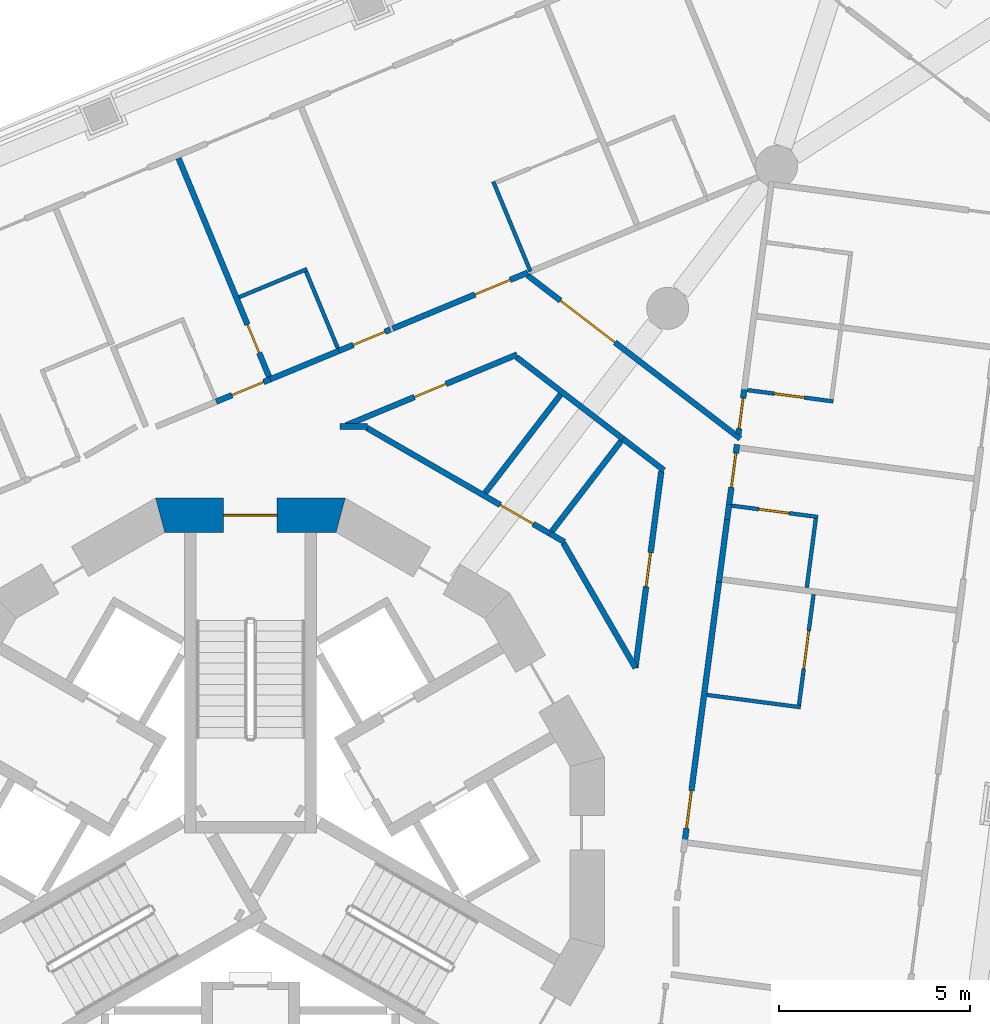
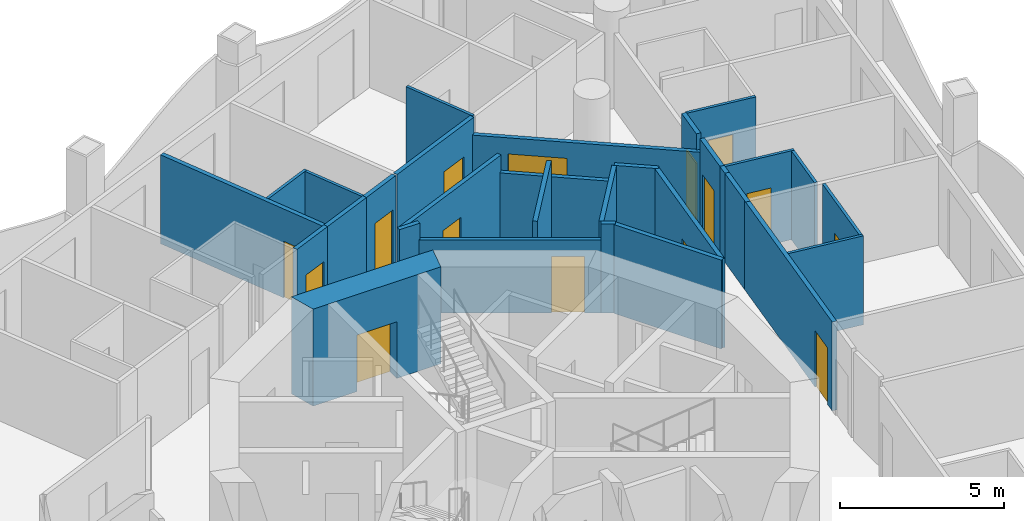
# One storey, part 9 of 17: 30 walls, 15 doors, 15 openings.
"""IFC4 building model written with IfcOpenShell, lengths in metres."""

from ifc_helpers import new_model, si_unit, direction, frame, frame_2d, origin, place, context, subcontext, project, spatial, polyline, rectangle, outline, extrude, material, layer, layer_set, type_object, element, fill, save


model = new_model("IFC4")

# Units and contexts
model_context = context("Model", 3, precision=1e-05, world=origin(), true_north=direction((0.0, 1.0)))
body_context = subcontext(model_context, "Body", "Model", "MODEL_VIEW")
ifc_project = project(units=[si_unit("LENGTHUNIT", "METRE"), si_unit("AREAUNIT", "SQUARE_METRE"), si_unit("VOLUMEUNIT", "CUBIC_METRE"), si_unit("PLANEANGLEUNIT", "RADIAN"), si_unit("MASSUNIT", "GRAM", prefix="KILO")], contexts=[model_context])

# Site, building, storey
site_placement = place(None, origin())
site = spatial("IfcSite", under=ifc_project, at=site_placement, CompositionType="ELEMENT")
building_placement = place(site_placement, origin())
building = spatial("IfcBuilding", under=site, at=building_placement, Name="Trine Commons Tower", CompositionType="ELEMENT")
storey_placement = place(building_placement, frame((0.0, 0.0, 135.0)))
storey = spatial("IfcBuildingStorey", under=building, at=storey_placement, Name="L34", CompositionType="ELEMENT", Elevation=135.0)

# Wall, opening, door
ifc_material_1 = material(Name="Concrete C70/85", Category="concrete")
ifc_layer_1 = layer(ifc_material_1, 0.89990234375)
ifc_layer_set_1 = layer_set([ifc_layer_1], Name="Concrete C70/85")
wall_type_1 = type_object("IfcWallType", Name="RC shear wall 900 mm, C70/85", PredefinedType="SHEAR", material=ifc_layer_set_1)
wall_1_placement = place(storey_placement, frame((82.484619140625, 71.322998046875, 0.0), z_axis=(0.0, 0.0, 1.0), x_axis=(-1.0, 0.0, 0.0)))
wall_1 = element("IfcWall", 1, at=wall_1_placement, inside=storey, type_object=wall_type_1, Name="Core wall CWD-04 L34", PredefinedType="SHEAR", context=body_context, shape_type="SweptSolid", body=[
    extrude(outline(polyline([(0.0, -0.449951171875), (4.969482421875, -0.449951171875), (4.728271484375, 0.449951171875), (0.2412109375, 0.449951171875), (0.0, -0.449951171875)])), origin(), (0.0, 0.0, 1.0), 3.60009765625),
])
opening_1_placement = place(wall_1_placement, frame((1.78466796875, 0.0, 0.0)))
opening_1 = element("IfcOpeningElement", 2, at=opening_1_placement, cuts=wall_1, Name="Opening K09.01", PredefinedType="OPENING", context=body_context, shape_type="SweptSolid", body=[
    extrude(rectangle(XDim=1.39990234375, YDim=2.10009765625, at=frame_2d((0.699951171875, 1.050048828125))), frame((0.0, 0.4599609375, 0.0), z_axis=(0.0, -1.0, 0.0), x_axis=(1.0, 0.0, 0.0)), (0.0, 0.0, 1.0), 0.919921875),
])
ifc_material_2 = material(Name="Steel door leaves, fire-rated", Category="steel")
door_type_1 = type_object("IfcDoorType", Name="Stair door, double leaf 1400 x 2100, FD90", OperationType="DOUBLE_DOOR_SINGLE_SWING", PredefinedType="DOOR", material=ifc_material_2)
door_1_placement = place(opening_1_placement, origin())
door_1 = element("IfcDoor", 3, at=door_1_placement, inside=storey, type_object=door_type_1, Name="Stair door to Exit stair ST1B L34", OperationType="DOUBLE_DOOR_SINGLE_SWING", OverallHeight=2.10009765625, OverallWidth=1.39990234375, PredefinedType="DOOR", context=body_context, shape_type="SweptSolid", body=[
    extrude(rectangle(XDim=1.39990234375, YDim=2.10009765625, at=frame_2d((0.699951171875, 1.050048828125))), frame((0.0, 0.02490234375, 0.0), z_axis=(0.0, -1.0, 0.0), x_axis=(1.0, 0.0, 0.0)), (0.0, 0.0, 1.0), 0.050048828125),
])
fill(opening_1, door_1)

ifc_material_3 = material(Name="Gypsum plasterboard on steel stud", Category="steel")
ifc_layer_2 = layer(ifc_material_3, 0.14990234375)
ifc_layer_set_2 = layer_set([ifc_layer_2], Name="Gypsum plasterboard on steel stud")
wall_type_2 = type_object("IfcWallType", Name="Unit and corridor wall 150 mm, EI 60", PredefinedType="PARTITIONING", material=ifc_layer_set_2)
wall_2_placement = place(storey_placement, frame((78.1171875, 80.676025390625, 0.0), z_axis=(0.0, 0.0, 1.0), x_axis=(0.382656755178, -0.923890582113, 0.0)))
wall_2 = element("IfcWall", 4, at=wall_2_placement, inside=storey, type_object=wall_type_2, Name="Partition 067", PredefinedType="PARTITIONING", context=body_context, shape_type="SweptSolid", body=[
    extrude(rectangle(XDim=6.26904296875, YDim=0.14990234375, at=frame_2d((3.134521484375, 0.0))), origin(), (0.0, 0.0, 1.0), 3.300048828125),
])
opening_2_placement = place(wall_2_placement, frame((4.718994140625, 0.0, 0.0)))
opening_2 = element("IfcOpeningElement", 5, at=opening_2_placement, cuts=wall_2, Name="Opening D-4B41", PredefinedType="OPENING", context=body_context, shape_type="SweptSolid", body=[
    extrude(rectangle(XDim=0.800048828125, YDim=2.10009765625, at=frame_2d((0.39990234375, 1.050048828125))), frame((0.0, 0.0849609375, 0.0), z_axis=(0.0, -1.0, 0.0), x_axis=(1.0, 0.0, 0.0)), (0.0, 0.0, 1.0), 0.169921875),
])
ifc_material_4 = material(Name="Painted timber", Category="wood")
door_type_2 = type_object("IfcDoorType", Name="Internal door 800 x 2100, NOT RATED", OperationType="NOTDEFINED", PredefinedType="DOOR", material=ifc_material_4)
door_2_placement = place(opening_2_placement, frame((0.800048828125, 0.0, 0.0), z_axis=(0.0, 0.0, 1.0), x_axis=(-1.0, 0.0, 0.0)))
door_2 = element("IfcDoor", 6, at=door_2_placement, inside=storey, type_object=door_type_2, Name="Door D-4B41", OperationType="SINGLE_SWING_LEFT", OverallHeight=2.10009765625, OverallWidth=0.800048828125, PredefinedType="DOOR", context=body_context, shape_type="SweptSolid", body=[
    extrude(rectangle(XDim=0.800048828125, YDim=2.10009765625, at=frame_2d((0.39990234375, 1.050048828125))), frame((0.0, 0.02490234375, 0.0), z_axis=(0.0, -1.0, 0.0), x_axis=(1.0, 0.0, 0.0)), (0.0, 0.0, 1.0), 0.050048828125),
])
fill(opening_2, door_2)

wall_3_placement = place(storey_placement, frame((79.10205078125, 74.298095703125, 0.0), z_axis=(0.0, 0.0, 1.0), x_axis=(0.923753093183, 0.382988541389, 0.0)))
wall_3 = element("IfcWall", 7, at=wall_3_placement, inside=storey, type_object=wall_type_2, Name="Partition 070", PredefinedType="PARTITIONING", context=body_context, shape_type="SweptSolid", body=[
    extrude(rectangle(XDim=1.534912109375, YDim=0.14990234375, at=frame_2d((0.767578125, 0.0))), origin(), (0.0, 0.0, 1.0), 3.300048828125),
])
opening_3_placement = place(wall_3_placement, frame((0.447998046875, 0.0, 0.0)))
opening_3 = element("IfcOpeningElement", 8, at=opening_3_placement, cuts=wall_3, Name="Opening D-4B09", PredefinedType="OPENING", context=body_context, shape_type="SweptSolid", body=[
    extrude(rectangle(XDim=0.89990234375, YDim=2.10009765625, at=frame_2d((0.449951171875, 1.050048828125))), frame((0.0, 0.0849609375, 0.0), z_axis=(0.0, -1.0, 0.0), x_axis=(1.0, 0.0, 0.0)), (0.0, 0.0, 1.0), 0.169921875),
])
ifc_material_5 = material(Name="Timber fire door set", Category="wood")
door_type_3 = type_object("IfcDoorType", Name="Bedroom door 900 x 2100, FD30S", OperationType="NOTDEFINED", PredefinedType="DOOR", material=ifc_material_5)
door_3_placement = place(opening_3_placement, origin())
door_3 = element("IfcDoor", 9, at=door_3_placement, inside=storey, type_object=door_type_3, Name="Door D-4B09", OperationType="SINGLE_SWING_RIGHT", OverallHeight=2.10009765625, OverallWidth=0.89990234375, PredefinedType="DOOR", context=body_context, shape_type="SweptSolid", body=[
    extrude(rectangle(XDim=0.89990234375, YDim=2.10009765625, at=frame_2d((0.449951171875, 1.050048828125))), frame((0.0, 0.02490234375, 0.0), z_axis=(0.0, -1.0, 0.0), x_axis=(1.0, 0.0, 0.0)), (0.0, 0.0, 1.0), 0.050048828125),
])
fill(opening_3, door_3)

# Wall
wall_4_placement = place(storey_placement, frame((80.511962890625, 74.882080078125, 0.0), z_axis=(0.0, 0.0, 1.0), x_axis=(0.923847984022, 0.382759588277, 0.0)))
element("IfcWall", 10, at=wall_4_placement, inside=storey, type_object=wall_type_2, Name="Partition 074", PredefinedType="PARTITIONING", context=body_context, shape_type="SweptSolid", body=[
    extrude(rectangle(XDim=2.00927734375, YDim=0.14990234375, at=frame_2d((1.004638671875, 0.0))), origin(), (0.0, 0.0, 1.0), 3.300048828125),
])

# Wall, opening, door
wall_5_placement = place(storey_placement, frame((82.31494140625, 75.62890625, 0.0), z_axis=(0.0, 0.0, 1.0), x_axis=(0.923733456716, 0.383035900332, 0.0)))
wall_5 = element("IfcWall", 11, at=wall_5_placement, inside=storey, type_object=wall_type_2, Name="Partition 079", PredefinedType="PARTITIONING", context=body_context, shape_type="SweptSolid", body=[
    extrude(rectangle(XDim=1.460205078125, YDim=0.14990234375, at=frame_2d((0.72998046875, 0.0))), origin(), (0.0, 0.0, 1.0), 3.300048828125),
])
opening_4_placement = place(wall_5_placement, frame((0.41015625, 0.0, 0.0)))
opening_4 = element("IfcOpeningElement", 12, at=opening_4_placement, cuts=wall_5, Name="Opening D-4B10", PredefinedType="OPENING", context=body_context, shape_type="SweptSolid", body=[
    extrude(rectangle(XDim=0.89990234375, YDim=2.10009765625, at=frame_2d((0.449951171875, 1.050048828125))), frame((0.0, 0.0849609375, 0.0), z_axis=(0.0, -1.0, 0.0), x_axis=(1.0, 0.0, 0.0)), (0.0, 0.0, 1.0), 0.169921875),
])
door_4_placement = place(opening_4_placement, origin())
door_4 = element("IfcDoor", 13, at=door_4_placement, inside=storey, type_object=door_type_3, Name="Door D-4B10", OperationType="SINGLE_SWING_RIGHT", OverallHeight=2.10009765625, OverallWidth=0.89990234375, PredefinedType="DOOR", context=body_context, shape_type="SweptSolid", body=[
    extrude(rectangle(XDim=0.89990234375, YDim=2.10009765625, at=frame_2d((0.449951171875, 1.050048828125))), frame((0.0, 0.02490234375, 0.0), z_axis=(0.0, -1.0, 0.0), x_axis=(1.0, 0.0, 0.0)), (0.0, 0.0, 1.0), 0.050048828125),
])
fill(opening_4, door_4)

# Wall
wall_6_placement = place(storey_placement, frame((82.35205078125, 73.64794921875, 0.0), z_axis=(0.0, 0.0, 1.0), x_axis=(1.0, 0.0, 0.0)))
element("IfcWall", 14, at=wall_6_placement, inside=storey, type_object=wall_type_2, Name="Partition 080", PredefinedType="PARTITIONING", context=body_context, shape_type="SweptSolid", body=[
    extrude(rectangle(XDim=0.7099609375, YDim=0.14990234375, at=frame_2d((0.35498046875, 0.0))), origin(), (0.0, 0.0, 1.0), 3.300048828125),
])

# Wall, opening, door
wall_7_placement = place(storey_placement, frame((82.500244140625, 73.6767578125, 0.0), z_axis=(0.0, 0.0, 1.0), x_axis=(0.923900404771, 0.382633038384, 0.0)))
wall_7 = element("IfcWall", 15, at=wall_7_placement, inside=storey, type_object=wall_type_2, Name="Partition 081", PredefinedType="PARTITIONING", context=body_context, shape_type="SweptSolid", body=[
    extrude(rectangle(XDim=4.855712890625, YDim=0.14990234375, at=frame_2d((2.427734375, 0.0))), origin(), (0.0, 0.0, 1.0), 3.300048828125),
])
opening_5_placement = place(wall_7_placement, frame((1.940185546875, 0.0, 0.0)))
opening_5 = element("IfcOpeningElement", 16, at=opening_5_placement, cuts=wall_7, Name="Opening D-4B31", PredefinedType="OPENING", context=body_context, shape_type="SweptSolid", body=[
    extrude(rectangle(XDim=0.89990234375, YDim=2.10009765625, at=frame_2d((0.449951171875, 1.050048828125))), frame((0.0, 0.0849609375, 0.0), z_axis=(0.0, -1.0, 0.0), x_axis=(1.0, 0.0, 0.0)), (0.0, 0.0, 1.0), 0.169921875),
])
door_type_4 = type_object("IfcDoorType", Name="Service door 900 x 2100, FD30S", OperationType="NOTDEFINED", PredefinedType="DOOR", material=ifc_material_5)
door_5_placement = place(opening_5_placement, frame((0.89990234375, 0.0, 0.0), z_axis=(0.0, 0.0, 1.0), x_axis=(-1.0, 0.0, 0.0)))
door_5 = element("IfcDoor", 17, at=door_5_placement, inside=storey, type_object=door_type_4, Name="Door D-4B31", OperationType="SINGLE_SWING_RIGHT", OverallHeight=2.10009765625, OverallWidth=0.89990234375, PredefinedType="DOOR", context=body_context, shape_type="SweptSolid", body=[
    extrude(rectangle(XDim=0.89990234375, YDim=2.10009765625, at=frame_2d((0.449951171875, 1.050048828125))), frame((0.0, 0.02490234375, 0.0), z_axis=(0.0, -1.0, 0.0), x_axis=(1.0, 0.0, 0.0)), (0.0, 0.0, 1.0), 0.050048828125),
])
fill(opening_5, door_5)

wall_8_placement = place(storey_placement, frame((83.052001953125, 73.610595703125, 0.0), z_axis=(0.0, 0.0, 1.0), x_axis=(0.866011740381, -0.500023664962, 0.0)))
wall_8 = element("IfcWall", 18, at=wall_8_placement, inside=storey, type_object=wall_type_2, Name="Partition 084", PredefinedType="PARTITIONING", context=body_context, shape_type="SweptSolid", body=[
    extrude(rectangle(XDim=5.542724609375, YDim=0.14990234375, at=frame_2d((2.771484375, 0.0))), origin(), (0.0, 0.0, 1.0), 2.699951171875),
])
opening_6_placement = place(wall_8_placement, frame((4.030517578125, 0.0, 0.0)))
opening_6 = element("IfcOpeningElement", 19, at=opening_6_placement, cuts=wall_8, Name="Opening D-4B35", PredefinedType="OPENING", context=body_context, shape_type="SweptSolid", body=[
    extrude(rectangle(XDim=1.0, YDim=2.10009765625, at=frame_2d((0.5, 1.050048828125))), frame((0.0, 0.0849609375, 0.0), z_axis=(0.0, -1.0, 0.0), x_axis=(1.0, 0.0, 0.0)), (0.0, 0.0, 1.0), 0.169921875),
])
door_type_5 = type_object("IfcDoorType", Name="Toilet door 1000 x 2100, NOT RATED", OperationType="NOTDEFINED", PredefinedType="DOOR", material=ifc_material_4)
door_6_placement = place(opening_6_placement, origin())
door_6 = element("IfcDoor", 20, at=door_6_placement, inside=storey, type_object=door_type_5, Name="Door D-4B35", OperationType="SINGLE_SWING_RIGHT", OverallHeight=2.10009765625, OverallWidth=1.0, PredefinedType="DOOR", context=body_context, shape_type="SweptSolid", body=[
    extrude(rectangle(XDim=1.0, YDim=2.10009765625, at=frame_2d((0.5, 1.050048828125))), frame((0.0, 0.02490234375, 0.0), z_axis=(0.0, -1.0, 0.0), x_axis=(1.0, 0.0, 0.0)), (0.0, 0.0, 1.0), 0.050048828125),
])
fill(opening_6, door_6)

wall_9_placement = place(storey_placement, frame((83.72509765625, 76.212890625, 0.0), z_axis=(0.0, 0.0, 1.0), x_axis=(0.923815133711, 0.382838867838, 0.0)))
wall_9 = element("IfcWall", 21, at=wall_9_placement, inside=storey, type_object=wall_type_2, Name="Partition 087", PredefinedType="PARTITIONING", context=body_context, shape_type="SweptSolid", body=[
    extrude(rectangle(XDim=3.83642578125, YDim=0.14990234375, at=frame_2d((1.918212890625, 0.0))), origin(), (0.0, 0.0, 1.0), 3.300048828125),
])
opening_7_placement = place(wall_9_placement, frame((2.332275390625, 0.0, 0.0)))
opening_7 = element("IfcOpeningElement", 22, at=opening_7_placement, cuts=wall_9, Name="Opening D-4B11", PredefinedType="OPENING", context=body_context, shape_type="SweptSolid", body=[
    extrude(rectangle(XDim=1.0, YDim=2.10009765625, at=frame_2d((0.5, 1.050048828125))), frame((0.0, 0.0849609375, 0.0), z_axis=(0.0, -1.0, 0.0), x_axis=(1.0, 0.0, 0.0)), (0.0, 0.0, 1.0), 0.169921875),
])
door_type_6 = type_object("IfcDoorType", Name="Bedroom door 1000 x 2100, FD30S", OperationType="NOTDEFINED", PredefinedType="DOOR", material=ifc_material_5)
door_7_placement = place(opening_7_placement, origin())
door_7 = element("IfcDoor", 23, at=door_7_placement, inside=storey, type_object=door_type_6, Name="Door D-4B11", OperationType="SINGLE_SWING_RIGHT", OverallHeight=2.10009765625, OverallWidth=1.0, PredefinedType="DOOR", context=body_context, shape_type="SweptSolid", body=[
    extrude(rectangle(XDim=1.0, YDim=2.10009765625, at=frame_2d((0.5, 1.050048828125))), frame((0.0, 0.02490234375, 0.0), z_axis=(0.0, -1.0, 0.0), x_axis=(1.0, 0.0, 0.0)), (0.0, 0.0, 1.0), 0.050048828125),
])
fill(opening_7, door_7)

# Walls
wall_10_placement = place(storey_placement, frame((86.147705078125, 71.908447265625, 0.0), z_axis=(0.0, 0.0, 1.0), x_axis=(0.608765985087, 0.793349844269, 0.0)))
element("IfcWall", 24, at=wall_10_placement, inside=storey, type_object=wall_type_2, Name="Partition 093", PredefinedType="PARTITIONING", context=body_context, shape_type="SweptSolid", body=[
    extrude(rectangle(XDim=3.24853515625, YDim=0.14990234375, at=frame_2d((1.624267578125, 0.0))), origin(), (0.0, 0.0, 1.0), 3.300048828125),
])
wall_11_placement = place(storey_placement, frame((86.9765625, 75.460205078125, 0.0), z_axis=(0.0, 0.0, 1.0), x_axis=(0.793436349507, -0.608653234018, 0.0)))
element("IfcWall", 25, at=wall_11_placement, inside=storey, type_object=wall_type_2, Name="Partition 096", PredefinedType="PARTITIONING", context=body_context, shape_type="SweptSolid", body=[
    extrude(rectangle(XDim=3.583251953125, YDim=0.14990234375, at=frame_2d((1.79150390625, 0.0))), origin(), (0.0, 0.0, 1.0), 2.699951171875),
])

# Wall, opening, door
wall_12_placement = place(storey_placement, frame((87.259521484375, 77.607421875, 0.0), z_axis=(0.0, 0.0, 1.0), x_axis=(0.79336631803, -0.608744515718, 0.0)))
wall_12 = element("IfcWall", 26, at=wall_12_placement, inside=storey, type_object=wall_type_2, Name="Partition 097", PredefinedType="PARTITIONING", context=body_context, shape_type="SweptSolid", body=[
    extrude(rectangle(XDim=7.0244140625, YDim=0.14990234375, at=frame_2d((3.51220703125, 0.0))), origin(), (0.0, 0.0, 1.0), 2.699951171875),
])
opening_8_placement = place(wall_12_placement, frame((1.086181640625, 0.0, 0.0)))
opening_8 = element("IfcOpeningElement", 27, at=opening_8_placement, cuts=wall_12, Name="Opening D-4B01", PredefinedType="OPENING", context=body_context, shape_type="SweptSolid", body=[
    extrude(rectangle(XDim=1.800048828125, YDim=2.10009765625, at=frame_2d((0.89990234375, 1.050048828125))), frame((0.0, 0.0849609375, 0.0), z_axis=(0.0, -1.0, 0.0), x_axis=(1.0, 0.0, 0.0)), (0.0, 0.0, 1.0), 0.169921875),
])
door_type_7 = type_object("IfcDoorType", Name="Cluster entrance door 1800 x 2100, double leaf, FD30S", OperationType="DOUBLE_DOOR_DOUBLE_SWING", PredefinedType="DOOR", material=ifc_material_5)
door_8_placement = place(opening_8_placement, origin())
door_8 = element("IfcDoor", 28, at=door_8_placement, inside=storey, type_object=door_type_7, Name="Door D-4B01", OperationType="DOUBLE_DOOR_DOUBLE_SWING", OverallHeight=2.10009765625, OverallWidth=1.800048828125, PredefinedType="DOOR", context=body_context, shape_type="SweptSolid", body=[
    extrude(rectangle(XDim=1.800048828125, YDim=2.10009765625, at=frame_2d((0.89990234375, 1.050048828125))), frame((0.0, 0.02490234375, 0.0), z_axis=(0.0, -1.0, 0.0), x_axis=(1.0, 0.0, 0.0)), (0.0, 0.0, 1.0), 0.050048828125),
])
fill(opening_8, door_8)

# Walls
wall_13_placement = place(storey_placement, frame((87.845947265625, 70.843017578125, 0.0), z_axis=(0.0, 0.0, 1.0), x_axis=(0.86587042983, -0.500268326746, 0.0)))
element("IfcWall", 29, at=wall_13_placement, inside=storey, type_object=wall_type_2, Name="Partition 103", PredefinedType="PARTITIONING", context=body_context, shape_type="SweptSolid", body=[
    extrude(rectangle(XDim=0.438720703125, YDim=0.14990234375, at=frame_2d((0.21923828125, 0.0))), origin(), (0.0, 0.0, 1.0), 3.300048828125),
])
wall_14_placement = place(storey_placement, frame((87.894775390625, 70.900390625, 0.0), z_axis=(0.0, 0.0, 1.0), x_axis=(0.608761301523, 0.793353438114, 0.0)))
element("IfcWall", 30, at=wall_14_placement, inside=storey, type_object=wall_type_2, Name="Partition 104", PredefinedType="PARTITIONING", context=body_context, shape_type="SweptSolid", body=[
    extrude(rectangle(XDim=2.98388671875, YDim=0.14990234375, at=frame_2d((1.491943359375, 0.0))), origin(), (0.0, 0.0, 1.0), 3.300048828125),
])
wall_15_placement = place(storey_placement, frame((88.198486328125, 70.595947265625, 0.0), z_axis=(0.0, 0.0, 1.0), x_axis=(0.499871635049, -0.86609950264, 0.0)))
element("IfcWall", 31, at=wall_15_placement, inside=storey, type_object=wall_type_2, Name="Partition 106", PredefinedType="PARTITIONING", context=body_context, shape_type="SweptSolid", body=[
    extrude(rectangle(XDim=3.77783203125, YDim=0.14990234375, at=frame_2d((1.888916015625, 0.0))), origin(), (0.0, 0.0, 1.0), 3.300048828125),
])
wall_16_placement = place(storey_placement, frame((89.75390625, 73.3291015625, 0.0), z_axis=(0.0, 0.0, 1.0), x_axis=(0.793704663206, -0.608303302313, 0.0)))
element("IfcWall", 32, at=wall_16_placement, inside=storey, type_object=wall_type_2, Name="Partition 116", PredefinedType="PARTITIONING", context=body_context, shape_type="SweptSolid", body=[
    extrude(rectangle(XDim=1.35888671875, YDim=0.14990234375, at=frame_2d((0.679443359375, 0.0))), origin(), (0.0, 0.0, 1.0), 3.300048828125),
])

# Wall, opening, door
wall_17_placement = place(storey_placement, frame((90.0849609375, 67.326904296875, 0.0), z_axis=(0.0, 0.0, 1.0), x_axis=(0.130647942506, 0.991428825039, 0.0)))
wall_17 = element("IfcWall", 33, at=wall_17_placement, inside=storey, type_object=wall_type_2, Name="Partition 119", PredefinedType="PARTITIONING", context=body_context, shape_type="SweptSolid", body=[
    extrude(rectangle(XDim=5.191162109375, YDim=0.14990234375, at=frame_2d((2.595703125, 0.0))), origin(), (0.0, 0.0, 1.0), 3.300048828125),
])
opening_9_placement = place(wall_17_placement, frame((2.1455078125, 0.0, 0.0)))
opening_9 = element("IfcOpeningElement", 34, at=opening_9_placement, cuts=wall_17, Name="Opening D-4B32", PredefinedType="OPENING", context=body_context, shape_type="SweptSolid", body=[
    extrude(rectangle(XDim=0.89990234375, YDim=2.10009765625, at=frame_2d((0.449951171875, 1.050048828125))), frame((0.0, 0.0849609375, 0.0), z_axis=(0.0, -1.0, 0.0), x_axis=(1.0, 0.0, 0.0)), (0.0, 0.0, 1.0), 0.169921875),
])
door_9_placement = place(opening_9_placement, origin())
door_9 = element("IfcDoor", 35, at=door_9_placement, inside=storey, type_object=door_type_4, Name="Door D-4B32", OperationType="SINGLE_SWING_LEFT", OverallHeight=2.10009765625, OverallWidth=0.89990234375, PredefinedType="DOOR", context=body_context, shape_type="SweptSolid", body=[
    extrude(rectangle(XDim=0.89990234375, YDim=2.10009765625, at=frame_2d((0.449951171875, 1.050048828125))), frame((0.0, 0.02490234375, 0.0), z_axis=(0.0, -1.0, 0.0), x_axis=(1.0, 0.0, 0.0)), (0.0, 0.0, 1.0), 0.050048828125),
])
fill(opening_9, door_9)

wall_18_placement = place(storey_placement, frame((91.3740234375, 62.751953125, 0.0), z_axis=(0.0, 0.0, 1.0), x_axis=(0.130544309052, 0.991442476079, 0.0)))
wall_18 = element("IfcWall", 36, at=wall_18_placement, inside=storey, type_object=wall_type_2, Name="Partition 127", PredefinedType="PARTITIONING", context=body_context, shape_type="SweptSolid", body=[
    extrude(rectangle(XDim=6.962646484375, YDim=0.14990234375, at=frame_2d((3.4814453125, 0.0))), origin(), (0.0, 0.0, 1.0), 3.300048828125),
])
opening_10_placement = place(wall_18_placement, frame((0.371826171875, 0.0, 0.0)))
opening_10 = element("IfcOpeningElement", 37, at=opening_10_placement, cuts=wall_18, Name="Opening D-4B16", PredefinedType="OPENING", context=body_context, shape_type="SweptSolid", body=[
    extrude(rectangle(XDim=1.0, YDim=2.10009765625, at=frame_2d((0.5, 1.050048828125))), frame((0.0, 0.0849609375, 0.0), z_axis=(0.0, -1.0, 0.0), x_axis=(1.0, 0.0, 0.0)), (0.0, 0.0, 1.0), 0.169921875),
])
door_10_placement = place(opening_10_placement, frame((1.0, 0.0, 0.0), z_axis=(0.0, 0.0, 1.0), x_axis=(-1.0, 0.0, 0.0)))
door_10 = element("IfcDoor", 38, at=door_10_placement, inside=storey, type_object=door_type_6, Name="Door D-4B16", OperationType="SINGLE_SWING_RIGHT", OverallHeight=2.10009765625, OverallWidth=1.0, PredefinedType="DOOR", context=body_context, shape_type="SweptSolid", body=[
    extrude(rectangle(XDim=1.0, YDim=2.10009765625, at=frame_2d((0.5, 1.050048828125))), frame((0.0, 0.02490234375, 0.0), z_axis=(0.0, -1.0, 0.0), x_axis=(1.0, 0.0, 0.0)), (0.0, 0.0, 1.0), 0.050048828125),
])
fill(opening_10, door_10)

# Walls
wall_19_placement = place(storey_placement, frame((92.272216796875, 69.572509765625, 0.0), z_axis=(0.0, 0.0, 1.0), x_axis=(0.130269397931, 0.991478635152, 0.0)))
element("IfcWall", 39, at=wall_19_placement, inside=storey, type_object=wall_type_2, Name="Partition 132", PredefinedType="PARTITIONING", context=body_context, shape_type="SweptSolid", body=[
    extrude(rectangle(XDim=1.671630859375, YDim=0.14990234375, at=frame_2d((0.8359375, 0.0))), origin(), (0.0, 0.0, 1.0), 3.300048828125),
])
wall_20_placement = place(storey_placement, frame((92.487548828125, 71.211181640625, 0.0), z_axis=(0.0, 0.0, 1.0), x_axis=(0.129965201462, 0.991518555756, 0.0)))
element("IfcWall", 40, at=wall_20_placement, inside=storey, type_object=wall_type_2, Name="Partition 135", PredefinedType="PARTITIONING", context=body_context, shape_type="SweptSolid", body=[
    extrude(rectangle(XDim=0.400146484375, YDim=0.14990234375, at=frame_2d((0.2001953125, 0.0))), origin(), (0.0, 0.0, 1.0), 3.300048828125),
])

# Wall, opening, door
wall_21_placement = place(storey_placement, frame((92.529541015625, 71.531494140625, 0.0), z_axis=(0.0, 0.0, 1.0), x_axis=(0.130872922732, 0.991399151752, 0.0)))
wall_21 = element("IfcWall", 41, at=wall_21_placement, inside=storey, type_object=wall_type_2, Name="Partition 136", PredefinedType="PARTITIONING", context=body_context, shape_type="SweptSolid", body=[
    extrude(rectangle(XDim=1.66015625, YDim=0.14990234375, at=frame_2d((0.830078125, 0.0))), origin(), (0.0, 0.0, 1.0), 3.300048828125),
])
opening_11_placement = place(wall_21_placement, frame((0.53125, 0.0, 0.0)))
opening_11 = element("IfcOpeningElement", 42, at=opening_11_placement, cuts=wall_21, Name="Opening D-4B15", PredefinedType="OPENING", context=body_context, shape_type="SweptSolid", body=[
    extrude(rectangle(XDim=0.89990234375, YDim=2.10009765625, at=frame_2d((0.449951171875, 1.050048828125))), frame((0.0, 0.0849609375, 0.0), z_axis=(0.0, -1.0, 0.0), x_axis=(1.0, 0.0, 0.0)), (0.0, 0.0, 1.0), 0.169921875),
])
door_11_placement = place(opening_11_placement, frame((0.89990234375, 0.0, 0.0), z_axis=(0.0, 0.0, 1.0), x_axis=(-1.0, 0.0, 0.0)))
door_11 = element("IfcDoor", 43, at=door_11_placement, inside=storey, type_object=door_type_3, Name="Door D-4B15", OperationType="SINGLE_SWING_LEFT", OverallHeight=2.10009765625, OverallWidth=0.89990234375, PredefinedType="DOOR", context=body_context, shape_type="SweptSolid", body=[
    extrude(rectangle(XDim=0.89990234375, YDim=2.10009765625, at=frame_2d((0.449951171875, 1.050048828125))), frame((0.0, 0.02490234375, 0.0), z_axis=(0.0, -1.0, 0.0), x_axis=(1.0, 0.0, 0.0)), (0.0, 0.0, 1.0), 0.050048828125),
])
fill(opening_11, door_11)

wall_22_placement = place(storey_placement, frame((92.78271484375, 73.451416015625, 0.0), z_axis=(0.0, 0.0, 1.0), x_axis=(0.130422279171, 0.991458536246, 0.0)))
wall_22 = element("IfcWall", 44, at=wall_22_placement, inside=storey, type_object=wall_type_2, Name="Partition 139", PredefinedType="PARTITIONING", context=body_context, shape_type="SweptSolid", body=[
    extrude(rectangle(XDim=1.175537109375, YDim=0.14990234375, at=frame_2d((0.587890625, 0.0))), origin(), (0.0, 0.0, 1.0), 3.300048828125),
])
opening_12_placement = place(wall_22_placement, frame((0.1435546875, 0.0, 0.0)))
opening_12 = element("IfcOpeningElement", 45, at=opening_12_placement, cuts=wall_22, Name="Opening D-4B14", PredefinedType="OPENING", context=body_context, shape_type="SweptSolid", body=[
    extrude(rectangle(XDim=0.800048828125, YDim=2.10009765625, at=frame_2d((0.39990234375, 1.050048828125))), frame((0.0, 0.0849609375, 0.0), z_axis=(0.0, -1.0, 0.0), x_axis=(1.0, 0.0, 0.0)), (0.0, 0.0, 1.0), 0.169921875),
])
door_type_8 = type_object("IfcDoorType", Name="Bedroom door 800 x 2100, FD30S", OperationType="NOTDEFINED", PredefinedType="DOOR", material=ifc_material_5)
door_12_placement = place(opening_12_placement, frame((0.800048828125, 0.0, 0.0), z_axis=(0.0, 0.0, 1.0), x_axis=(-1.0, 0.0, 0.0)))
door_12 = element("IfcDoor", 46, at=door_12_placement, inside=storey, type_object=door_type_8, Name="Door D-4B14", OperationType="SINGLE_SWING_RIGHT", OverallHeight=2.10009765625, OverallWidth=0.800048828125, PredefinedType="DOOR", context=body_context, shape_type="SweptSolid", body=[
    extrude(rectangle(XDim=0.800048828125, YDim=2.10009765625, at=frame_2d((0.39990234375, 1.050048828125))), frame((0.0, 0.02490234375, 0.0), z_axis=(0.0, -1.0, 0.0), x_axis=(1.0, 0.0, 0.0)), (0.0, 0.0, 1.0), 0.050048828125),
])
fill(opening_12, door_12)

# Walls
ifc_layer_3 = layer(ifc_material_3, 0.10009765625)
ifc_layer_set_3 = layer_set([ifc_layer_3], Name="Gypsum plasterboard on steel stud")
wall_type_3 = type_object("IfcWallType", Name="Unit partition 100 mm, no rating", PredefinedType="PARTITIONING", material=ifc_layer_set_3)
wall_23_placement = place(storey_placement, frame((79.705322265625, 77.03759765625, 0.0), z_axis=(0.0, 0.0, 1.0), x_axis=(0.923922567399, 0.382579520428, 0.0)))
element("IfcWall", 47, at=wall_23_placement, inside=storey, type_object=wall_type_3, Name="Partition 073", PredefinedType="PARTITIONING", context=body_context, shape_type="SweptSolid", body=[
    extrude(rectangle(XDim=1.92529296875, YDim=0.10009765625, at=frame_2d((0.962646484375, 0.0))), origin(), (0.0, 0.0, 1.0), 3.300048828125),
])
wall_24_placement = place(storey_placement, frame((81.45703125, 77.708740234375, 0.0), z_axis=(0.0, 0.0, 1.0), x_axis=(0.382804678338, -0.923829301463, 0.0)))
element("IfcWall", 48, at=wall_24_placement, inside=storey, type_object=wall_type_3, Name="Partition 077", PredefinedType="PARTITIONING", context=body_context, shape_type="SweptSolid", body=[
    extrude(rectangle(XDim=2.174072265625, YDim=0.10009765625, at=frame_2d((1.0869140625, 0.0))), origin(), (0.0, 0.0, 1.0), 3.300048828125),
])
wall_25_placement = place(storey_placement, frame((86.36083984375, 80.065185546875, 0.0), z_axis=(0.0, 0.0, 1.0), x_axis=(0.382391255341, -0.924000502077, 0.0)))
element("IfcWall", 49, at=wall_25_placement, inside=storey, type_object=wall_type_3, Name="Partition 094", PredefinedType="PARTITIONING", context=body_context, shape_type="SweptSolid", body=[
    extrude(rectangle(XDim=2.550048828125, YDim=0.10009765625, at=frame_2d((1.27490234375, 0.0))), origin(), (0.0, 0.0, 1.0), 3.300048828125),
])
wall_26_placement = place(storey_placement, frame((91.95947265625, 66.6171875, 0.0), z_axis=(0.0, 0.0, 1.0), x_axis=(0.991455638879, -0.130444302806, 0.0)))
element("IfcWall", 50, at=wall_26_placement, inside=storey, type_object=wall_type_3, Name="Partition 130", PredefinedType="PARTITIONING", context=body_context, shape_type="SweptSolid", body=[
    extrude(rectangle(XDim=2.474365234375, YDim=0.10009765625, at=frame_2d((1.2373046875, 0.0))), origin(), (0.0, 0.0, 1.0), 3.300048828125),
])

# Wall, opening, door
wall_27_placement = place(storey_placement, frame((92.611328125, 71.5751953125, 0.0), z_axis=(0.0, 0.0, 1.0), x_axis=(0.991461599928, -0.130398987217, 0.0)))
wall_27 = element("IfcWall", 51, at=wall_27_placement, inside=storey, type_object=wall_type_3, Name="Partition 137", PredefinedType="PARTITIONING", context=body_context, shape_type="SweptSolid", body=[
    extrude(rectangle(XDim=2.27490234375, YDim=0.10009765625, at=frame_2d((1.137451171875, 0.0))), origin(), (0.0, 0.0, 1.0), 3.300048828125),
])
opening_13_placement = place(wall_27_placement, frame((0.71240234375, 0.0, 0.0)))
opening_13 = element("IfcOpeningElement", 52, at=opening_13_placement, cuts=wall_27, Name="Opening D-4B46", PredefinedType="OPENING", context=body_context, shape_type="SweptSolid", body=[
    extrude(rectangle(XDim=0.800048828125, YDim=2.10009765625, at=frame_2d((0.39990234375, 1.050048828125))), frame((0.0, 0.06005859375, 0.0), z_axis=(0.0, -1.0, 0.0), x_axis=(1.0, 0.0, 0.0)), (0.0, 0.0, 1.0), 0.1201171875),
])
door_13_placement = place(opening_13_placement, origin())
door_13 = element("IfcDoor", 53, at=door_13_placement, inside=storey, type_object=door_type_2, Name="Door D-4B46", OperationType="SINGLE_SWING_LEFT", OverallHeight=2.10009765625, OverallWidth=0.800048828125, PredefinedType="DOOR", context=body_context, shape_type="SweptSolid", body=[
    extrude(rectangle(XDim=0.800048828125, YDim=2.10009765625, at=frame_2d((0.39990234375, 1.050048828125))), frame((0.0, 0.02490234375, 0.0), z_axis=(0.0, -1.0, 0.0), x_axis=(1.0, 0.0, 0.0)), (0.0, 0.0, 1.0), 0.050048828125),
])
fill(opening_13, door_13)

wall_28_placement = place(storey_placement, frame((93.010498046875, 74.603271484375, 0.0), z_axis=(0.0, 0.0, 1.0), x_axis=(0.991445890878, -0.130518372124, 0.0)))
wall_28 = element("IfcWall", 54, at=wall_28_placement, inside=storey, type_object=wall_type_3, Name="Partition 141", PredefinedType="PARTITIONING", context=body_context, shape_type="SweptSolid", body=[
    extrude(rectangle(XDim=2.274658203125, YDim=0.10009765625, at=frame_2d((1.13720703125, 0.0))), origin(), (0.0, 0.0, 1.0), 3.300048828125),
])
opening_14_placement = place(wall_28_placement, frame((0.71240234375, 0.0, 0.0)))
opening_14 = element("IfcOpeningElement", 55, at=opening_14_placement, cuts=wall_28, Name="Opening D-4B45", PredefinedType="OPENING", context=body_context, shape_type="SweptSolid", body=[
    extrude(rectangle(XDim=0.800048828125, YDim=2.10009765625, at=frame_2d((0.39990234375, 1.050048828125))), frame((0.0, 0.06005859375, 0.0), z_axis=(0.0, -1.0, 0.0), x_axis=(1.0, 0.0, 0.0)), (0.0, 0.0, 1.0), 0.1201171875),
])
door_14_placement = place(opening_14_placement, frame((0.800048828125, 0.0, 0.0), z_axis=(0.0, 0.0, 1.0), x_axis=(-1.0, 0.0, 0.0)))
door_14 = element("IfcDoor", 56, at=door_14_placement, inside=storey, type_object=door_type_2, Name="Door D-4B45", OperationType="SINGLE_SWING_RIGHT", OverallHeight=2.10009765625, OverallWidth=0.800048828125, PredefinedType="DOOR", context=body_context, shape_type="SweptSolid", body=[
    extrude(rectangle(XDim=0.800048828125, YDim=2.10009765625, at=frame_2d((0.39990234375, 1.050048828125))), frame((0.0, 0.02490234375, 0.0), z_axis=(0.0, -1.0, 0.0), x_axis=(1.0, 0.0, 0.0)), (0.0, 0.0, 1.0), 0.050048828125),
])
fill(opening_14, door_14)

wall_29_placement = place(storey_placement, frame((94.369384765625, 66.3505859375, 0.0), z_axis=(0.0, 0.0, 1.0), x_axis=(0.13054519698, 0.991442359164, 0.0)))
wall_29 = element("IfcWall", 57, at=wall_29_placement, inside=storey, type_object=wall_type_3, Name="Partition 145", PredefinedType="PARTITIONING", context=body_context, shape_type="SweptSolid", body=[
    extrude(rectangle(XDim=2.925048828125, YDim=0.10009765625, at=frame_2d((1.46240234375, 0.0))), origin(), (0.0, 0.0, 1.0), 3.300048828125),
])
opening_15_placement = place(wall_29_placement, frame((0.96240234375, 0.0, 0.0)))
opening_15 = element("IfcOpeningElement", 58, at=opening_15_placement, cuts=wall_29, Name="Opening D-4B47", PredefinedType="OPENING", context=body_context, shape_type="SweptSolid", body=[
    extrude(rectangle(XDim=1.0, YDim=2.10009765625, at=frame_2d((0.5, 1.050048828125))), frame((0.0, 0.06005859375, 0.0), z_axis=(0.0, -1.0, 0.0), x_axis=(1.0, 0.0, 0.0)), (0.0, 0.0, 1.0), 0.1201171875),
])
door_type_9 = type_object("IfcDoorType", Name="Internal door 1000 x 2100, NOT RATED", OperationType="NOTDEFINED", PredefinedType="DOOR", material=ifc_material_4)
door_15_placement = place(opening_15_placement, frame((1.0, 0.0, 0.0), z_axis=(0.0, 0.0, 1.0), x_axis=(-1.0, 0.0, 0.0)))
door_15 = element("IfcDoor", 59, at=door_15_placement, inside=storey, type_object=door_type_9, Name="Door D-4B47", OperationType="SINGLE_SWING_RIGHT", OverallHeight=2.10009765625, OverallWidth=1.0, PredefinedType="DOOR", context=body_context, shape_type="SweptSolid", body=[
    extrude(rectangle(XDim=1.0, YDim=2.10009765625, at=frame_2d((0.5, 1.050048828125))), frame((0.0, 0.02490234375, 0.0), z_axis=(0.0, -1.0, 0.0), x_axis=(1.0, 0.0, 0.0)), (0.0, 0.0, 1.0), 0.050048828125),
])
fill(opening_15, door_15)

# Wall
wall_30_placement = place(storey_placement, frame((94.57275390625, 69.42529296875, 0.0), z_axis=(0.0, 0.0, 1.0), x_axis=(0.130253868076, 0.99148067548, 0.0)))
element("IfcWall", 60, at=wall_30_placement, inside=storey, type_object=wall_type_3, Name="Partition 146", PredefinedType="PARTITIONING", context=body_context, shape_type="SweptSolid", body=[
    extrude(rectangle(XDim=1.82568359375, YDim=0.10009765625, at=frame_2d((0.912841796875, 0.0))), origin(), (0.0, 0.0, 1.0), 3.300048828125),
])

save(model, "model.ifc")
